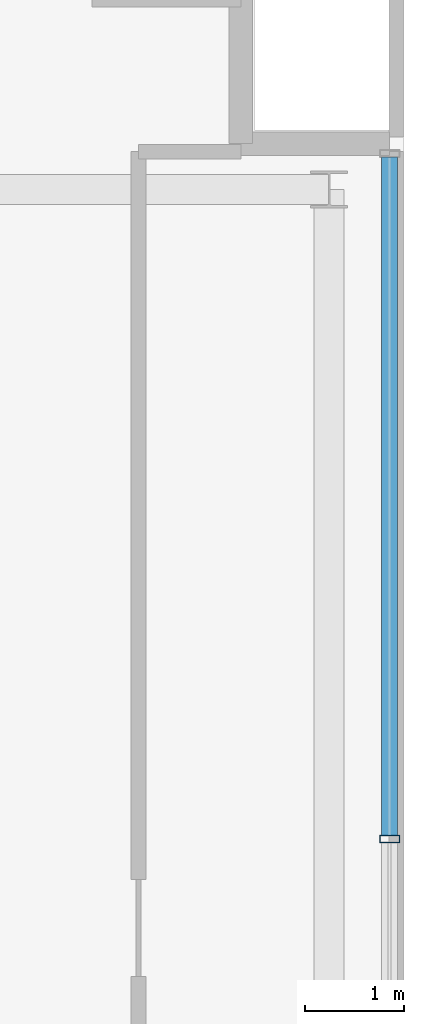
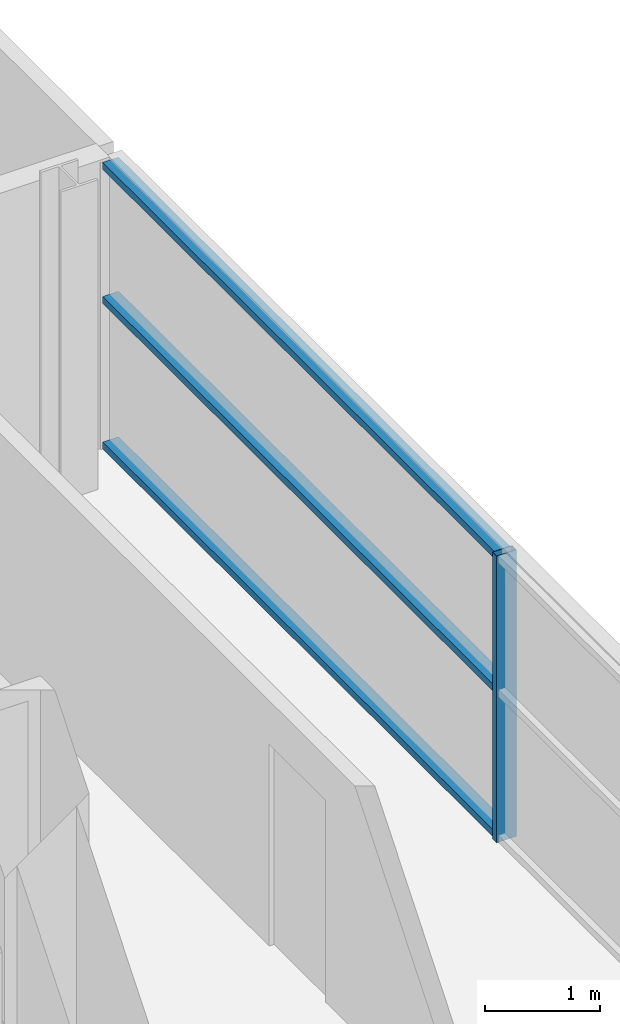
# One storey, part 10 of 22: 4 members, 1 element without a shape of its own.
"""IFC4 building model written with IfcOpenShell, lengths in metres."""

from ifc_helpers import new_model, si_unit, direction, frame, origin, origin_2d, place, context, subcontext, project, spatial, hollow_rectangle, extrude, source, transform, mapped, material, layer, layer_set, material_profile, profile_set, type_object, element, aggregate, save


model = new_model("IFC4")

# Units and contexts
model_context = context("Model", 3, precision=1e-05, world=origin(), true_north=direction((0.0, 1.0)))
body_context = subcontext(model_context, "Body", "Model", "MODEL_VIEW")
ifc_project = project(units=[si_unit("LENGTHUNIT", "METRE"), si_unit("AREAUNIT", "SQUARE_METRE"), si_unit("VOLUMEUNIT", "CUBIC_METRE"), si_unit("PLANEANGLEUNIT", "RADIAN"), si_unit("MASSUNIT", "GRAM", prefix="KILO")], contexts=[model_context])

# Site, building, storey
site_placement = place(None, origin())
site = spatial("IfcSite", under=ifc_project, at=site_placement, CompositionType="ELEMENT")
building_placement = place(site_placement, origin())
building = spatial("IfcBuilding", under=site, at=building_placement, Name="Zarnakvel Exchange Tower", CompositionType="ELEMENT")
storey_placement = place(building_placement, frame((0.0, 0.0, 222.10009765625)))
storey = spatial("IfcBuildingStorey", under=building, at=storey_placement, Name="L62", CompositionType="ELEMENT", Elevation=222.10009765625)

# Curtain wall, members
ifc_material = material(Name="Architectural Bronze Anodised Aluminium", Category="aluminium")
ifc_layer = layer(ifc_material, 0.199951171875)
ifc_layer_set = layer_set([ifc_layer], Name="Architectural Bronze Anodised Aluminium")
curtain_wall_type = type_object("IfcCurtainWallType", Name="CW-04", PredefinedType="NOTDEFINED", material=ifc_layer_set)
curtain_wall_placement = place(storey_placement, origin())
curtain_wall = element("IfcCurtainWall", 1, at=curtain_wall_placement, inside=storey, type_object=curtain_wall_type, Name="L62 Curtain Wall CW-L62-E1 (CW-04)", PredefinedType="NOTDEFINED")
ifc_material_profile_1 = material_profile(ifc_material, hollow_rectangle(XDim=0.199951171875, YDim=0.074951171875, WallThickness=0.0048828125, at=origin_2d()))
ifc_profile_set_1 = profile_set([ifc_material_profile_1], Name="Architectural Bronze Anodised Aluminium")
member_type_1 = type_object("IfcMemberType", Name="CWM-04", PredefinedType="MULLION", material=ifc_profile_set_1)
shared_shape_1 = source(origin(), body_context, "Body", "SweptSolid", [
    extrude(hollow_rectangle(XDim=0.199951171875, YDim=0.074951171875, WallThickness=0.0048828125, at=origin_2d()), origin(), (0.0, 0.0, 1.0), 3.054931640625),
])
member_1_placement = place(storey_placement, frame((19.4599609375, 6.949951171875, 0.0), z_axis=(0.0, 0.0, 1.0), x_axis=(-1.0, 0.0, 0.0)))
member_1 = element("IfcMember", 2, at=member_1_placement, type_object=member_type_1, Name="CW-04 mullion 4", PredefinedType="MULLION", context=body_context, shape_type="MappedRepresentation", body=[
    mapped(shared_shape_1, transform((0.0, 0.0, 0.0), x_axis=(1.0, 0.0, 0.0), y_axis=(0.0, 1.0, 0.0), z_axis=(0.0, 0.0, 1.0), scale=1.0)),
])
ifc_material_profile_2 = material_profile(ifc_material, hollow_rectangle(XDim=0.159912109375, YDim=0.074951171875, WallThickness=0.00390625, at=origin_2d()))
ifc_profile_set_2 = profile_set([ifc_material_profile_2], Name="Architectural Bronze Anodised Aluminium")
member_type_2 = type_object("IfcMemberType", Name="CWT-04", PredefinedType="USERDEFINED", material=ifc_profile_set_2)
shared_shape_2 = source(origin(), body_context, "Body", "SweptSolid", [
    extrude(hollow_rectangle(XDim=0.159912109375, YDim=0.074951171875, WallThickness=0.00390625, at=origin_2d()), origin(), (0.0, 0.0, 1.0), 6.83740234375),
])
member_2_placement = place(storey_placement, frame((19.4599609375, 6.987548828125, 0.037353515625), z_axis=(0.0, 1.0, 0.0), x_axis=(-1.0, 0.0, 0.0)))
member_2 = element("IfcMember", 3, at=member_2_placement, type_object=member_type_2, Name="CW-04 transom 4.1", ObjectType="TRANSOM", PredefinedType="USERDEFINED", context=body_context, shape_type="MappedRepresentation", body=[
    mapped(shared_shape_2, transform((0.0, 0.0, 0.0), x_axis=(1.0, 0.0, 0.0), y_axis=(0.0, 1.0, 0.0), z_axis=(0.0, 0.0, 1.0), scale=1.0)),
])
member_3_placement = place(storey_placement, frame((19.4599609375, 6.987548828125, 1.588623046875), z_axis=(0.0, 1.0, 0.0), x_axis=(-1.0, 0.0, 0.0)))
member_3 = element("IfcMember", 4, at=member_3_placement, type_object=member_type_2, Name="CW-04 transom 4.2", ObjectType="TRANSOM", PredefinedType="USERDEFINED", context=body_context, shape_type="MappedRepresentation", body=[
    mapped(shared_shape_2, transform((0.0, 0.0, 0.0), x_axis=(1.0, 0.0, 0.0), y_axis=(0.0, 1.0, 0.0), z_axis=(0.0, 0.0, 1.0), scale=1.0)),
])
member_4_placement = place(storey_placement, frame((19.4599609375, 6.987548828125, 3.017333984375), z_axis=(0.0, 1.0, 0.0), x_axis=(-1.0, 0.0, 0.0)))
member_4 = element("IfcMember", 5, at=member_4_placement, type_object=member_type_2, Name="CW-04 transom 4.3", ObjectType="TRANSOM", PredefinedType="USERDEFINED", context=body_context, shape_type="MappedRepresentation", body=[
    mapped(shared_shape_2, transform((0.0, 0.0, 0.0), x_axis=(1.0, 0.0, 0.0), y_axis=(0.0, 1.0, 0.0), z_axis=(0.0, 0.0, 1.0), scale=1.0)),
])
aggregate(curtain_wall, [member_1, member_2, member_3, member_4])

save(model, "model.ifc")
